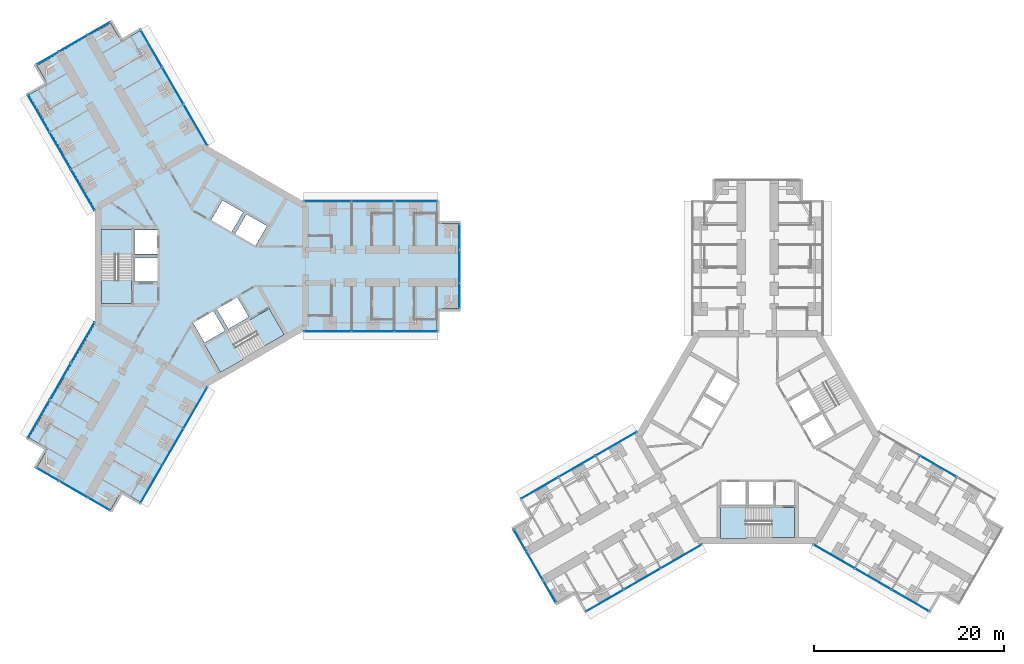
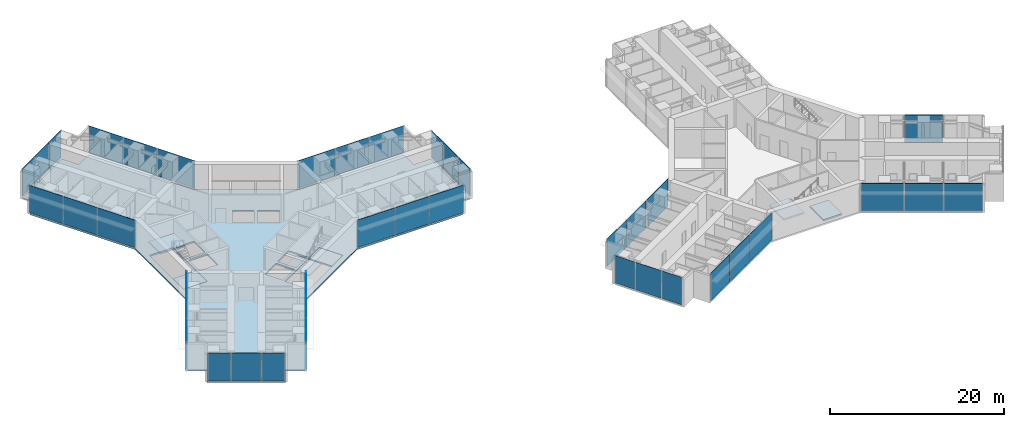
# One storey, part 14 of 25: 40 plates, 7 slabs, 17 elements without a shape of their own.
"""IFC4 building model written with IfcOpenShell, lengths in metres."""

import ifcopenshell
import ifcopenshell.guid

model = None  # the IFC model being written
_history = None  # IfcOwnerHistory: only IFC2X3 demands one
_inside = {}  # id of a spatial element -> (the spatial element, [elements in it])
_under = {}  # id of a project, library or spatial element -> (it, [spatial elements below it])
_declared = {}  # id of a project -> (the project, [libraries it declares])
_typed = {}  # id of a type object -> (the type object, [elements of that type])
_made_of = {}  # id of a material, layer set ... -> (it, [elements and type objects made of it])


def new_model(schema):
    """Start an empty IFC model of exactly this schema.

    Asked for "IFC4X3", IfcOpenShell would pick the latest addendum, in which some entities
    have other attributes; the version numbers below select the first issue.
    IFC2X3 requires an IfcOwnerHistory on every rooted entity: one is made here for all.
    """
    global model, _history
    if schema == "IFC4X3":
        model = ifcopenshell.file(schema_version=(4, 3, 0, 0))
    else:
        model = ifcopenshell.file(schema=schema)
    _inside.clear()
    _under.clear()
    _declared.clear()
    _typed.clear()
    _made_of.clear()
    _history = None
    if model.schema == "IFC2X3":
        org = make("IfcOrganization", Name="unknown")
        user = make(
            "IfcPersonAndOrganization",
            ThePerson=make("IfcPerson", FamilyName="unknown"),
            TheOrganization=org,
        )
        app = make(
            "IfcApplication",
            ApplicationDeveloper=org,
            Version="unknown",
            ApplicationFullName="unknown",
            ApplicationIdentifier="unknown",
        )
        _history = make(
            "IfcOwnerHistory",
            OwningUser=user,
            OwningApplication=app,
            ChangeAction="ADDED",
            CreationDate=0,
        )
    return model


def make(cls, **values):
    """One entity of the class cls with the attributes given. An attribute that is None is left unset."""
    return model.create_entity(
        cls, **{name: value for name, value in values.items() if value is not None}
    )


def rooted(cls, **values):
    """An entity with a GlobalId (a new one), such as an element, a storey or a relation."""
    return make(cls, GlobalId=ifcopenshell.guid.new(), OwnerHistory=_history, **values)


def si_unit(unit_type, name, prefix=None):
    """IfcSIUnit, for example si_unit("LENGTHUNIT", "METRE", prefix="MILLI")."""
    return make("IfcSIUnit", UnitType=unit_type, Prefix=prefix, Name=name)


def assignment(units):
    """IfcUnitAssignment: the units of a project."""
    return None if units is None else make("IfcUnitAssignment", Units=units)


def point(xyz):
    """IfcCartesianPoint."""
    return None if xyz is None else make("IfcCartesianPoint", Coordinates=xyz)


def direction(xyz):
    """IfcDirection."""
    return None if xyz is None else make("IfcDirection", DirectionRatios=xyz)


def frame(location, z_axis=None, x_axis=None):
    """IfcAxis2Placement3D, a coordinate frame: its origin and axes. An axis left out is left unset."""
    return make(
        "IfcAxis2Placement3D",
        Location=point(location),
        Axis=direction(z_axis),
        RefDirection=direction(x_axis),
    )


def frame_2d(location, x_axis=None):
    """IfcAxis2Placement2D, a coordinate frame in the plane: its origin and x axis."""
    return make(
        "IfcAxis2Placement2D", Location=point(location), RefDirection=direction(x_axis)
    )


def origin():
    """The frame at (0, 0, 0) with its axes left unset."""
    return frame((0.0, 0.0, 0.0))


def origin_2d():
    """The frame at (0, 0) in the plane with its x axis left unset."""
    return frame_2d((0.0, 0.0))


def place(relative_to, where):
    """IfcLocalPlacement: puts the frame where relative to a parent placement (None: the world)."""
    return make(
        "IfcLocalPlacement", PlacementRelTo=relative_to, RelativePlacement=where
    )


def context(
    kind, dimensions, precision=None, world=None, true_north=None, identifier=None
):
    """IfcGeometricRepresentationContext, for example the 3D "Model" context."""
    return make(
        "IfcGeometricRepresentationContext",
        ContextIdentifier=identifier,
        ContextType=kind,
        CoordinateSpaceDimension=dimensions,
        Precision=precision,
        WorldCoordinateSystem=world,
        TrueNorth=true_north,
    )


def subcontext(parent, identifier, kind, view, scale=None):
    """IfcGeometricRepresentationSubContext, for example "Body" below "Model"."""
    return make(
        "IfcGeometricRepresentationSubContext",
        ContextIdentifier=identifier,
        ContextType=kind,
        ParentContext=parent,
        TargetScale=scale,
        TargetView=view,
    )


def project(units=None, contexts=None):
    """IfcProject with its units and contexts."""
    return rooted(
        "IfcProject",
        Name="project",
        RepresentationContexts=contexts,
        UnitsInContext=assignment(units),
    )


def spatial(cls, under=None, at=None, **own):
    """A site, building, storey or space (cls), placed at a placement, below another one or the project."""
    s = rooted(cls, ObjectPlacement=at, **own)
    if under is not None:
        _under.setdefault(under.id(), (under, []))[1].append(s)
    return s


def polyline(points):
    """IfcPolyline through the points."""
    return make("IfcPolyline", Points=[point(p) for p in points])


def profile(cls, at=None, kind="AREA", **sizes):
    """A parametric profile (cls). Its sizes go by their IFC names, for example OverallWidth=200.0."""
    return make(cls, ProfileType=kind, Position=at, **sizes)


def rectangle(**sizes):
    """IfcRectangleProfileDef."""
    return profile("IfcRectangleProfileDef", **sizes)


def outline(outer, holes=None, kind="AREA"):
    """IfcArbitraryClosedProfileDef: a profile drawn as a closed curve; with holes, ...WithVoids."""
    if holes is None:
        return make("IfcArbitraryClosedProfileDef", ProfileType=kind, OuterCurve=outer)
    return make(
        "IfcArbitraryProfileDefWithVoids",
        ProfileType=kind,
        OuterCurve=outer,
        InnerCurves=holes,
    )


def extrude(swept, where, along, depth):
    """IfcExtrudedAreaSolid: the profile swept, set in the frame where, extruded along a direction by depth."""
    return make(
        "IfcExtrudedAreaSolid",
        SweptArea=swept,
        Position=where,
        ExtrudedDirection=direction(along),
        Depth=depth,
    )


def shape(context_of_items, identifier, shape_type, items):
    """IfcShapeRepresentation: the items that make up one representation, for example the "Body"."""
    return make(
        "IfcShapeRepresentation",
        ContextOfItems=context_of_items,
        RepresentationIdentifier=identifier,
        RepresentationType=shape_type,
        Items=items,
    )


def material(Name=None, Category=None):
    """IfcMaterial."""
    return make("IfcMaterial", Name=Name, Category=Category)


def layer(
    of_material, thickness, ventilated=None, Name=None, Category=None, Priority=None
):
    """IfcMaterialLayer: one layer of a wall or slab, of a material (None: an air gap)."""
    return make(
        "IfcMaterialLayer",
        Material=of_material,
        LayerThickness=thickness,
        IsVentilated=ventilated,
        Name=Name,
        Category=Category,
        Priority=Priority,
    )


def layer_set(layers, Name=None):
    """IfcMaterialLayerSet."""
    return make("IfcMaterialLayerSet", MaterialLayers=layers, LayerSetName=Name)


def made_of(thing, what):
    """Note that an element or type object is made of a material, layer set ...; save() writes the relation."""
    if what is not None:
        _made_of.setdefault(what.id(), (what, []))[1].append(thing)
    return thing


def type_object(cls, material=None, **own):
    """A type object (cls), such as IfcWallType, which elements share."""
    return made_of(rooted(cls, **own), material)


def element(
    cls,
    number,
    at=None,
    inside=None,
    cuts=None,
    type_object=None,
    material=None,
    context=None,
    identifier="Body",
    shape_type=None,
    held_by="IfcProductDefinitionShape",
    body=None,
    shapes=None,
    **own,
):
    """One element of the class cls, such as IfcWall. Its Tag is "e" and its number.

    at: its placement. inside: the storey or other place that contains it. cuts: it is an
    opening in that element (IfcRelVoidsElement). A single representation is given by context,
    identifier, shape_type and body (its items); several are given by shapes. held_by: the class
    of the entity that holds the representations. save() writes the other relations.
    """
    e = rooted(cls, Tag="e%d" % number, ObjectPlacement=at, **own)
    if body is not None:
        shapes = [shape(context, identifier, shape_type, body)]
    if shapes is not None:
        e.Representation = make(held_by, Representations=shapes)
    if inside is not None:
        _inside.setdefault(inside.id(), (inside, []))[1].append(e)
    if cuts is not None:
        rooted(
            "IfcRelVoidsElement", RelatingBuildingElement=cuts, RelatedOpeningElement=e
        )
    if type_object is not None:
        _typed.setdefault(type_object.id(), (type_object, []))[1].append(e)
    return made_of(e, material)


def aggregate(whole, parts):
    """IfcRelAggregates: a whole, such as a stair, and the parts it consists of."""
    return rooted("IfcRelAggregates", RelatingObject=whole, RelatedObjects=parts)


def save(model, path):
    """Write the relations noted so far, then the file.

    IfcRelAggregates (storeys below a building ...), IfcRelContainedInSpatialStructure (elements
    in a storey), IfcRelDefinesByType, IfcRelAssociatesMaterial and IfcRelDeclares: one each for
    every whole, place, type object, material and project.
    """
    for whole, parts in _under.values():
        aggregate(whole, parts)
    for where, things in _inside.values():
        rooted(
            "IfcRelContainedInSpatialStructure",
            RelatedElements=things,
            RelatingStructure=where,
        )
    for kind, things in _typed.values():
        rooted("IfcRelDefinesByType", RelatedObjects=things, RelatingType=kind)
    for what, things in _made_of.values():
        rooted("IfcRelAssociatesMaterial", RelatedObjects=things, RelatingMaterial=what)
    for by, libraries in _declared.values():
        rooted("IfcRelDeclares", RelatingContext=by, RelatedDefinitions=libraries)
    model.write(path)


model = new_model("IFC4")

# Units and contexts
model_context = context("Model", 3, precision=1e-05, world=origin(), true_north=direction((0.0, 1.0)))
body_context = subcontext(model_context, "Body", "Model", "MODEL_VIEW")
ifc_project = project(units=[si_unit("LENGTHUNIT", "METRE"), si_unit("AREAUNIT", "SQUARE_METRE"), si_unit("VOLUMEUNIT", "CUBIC_METRE"), si_unit("PLANEANGLEUNIT", "RADIAN"), si_unit("MASSUNIT", "GRAM", prefix="KILO")], contexts=[model_context])

# Site, building, storey
site_placement = place(None, origin())
site = spatial("IfcSite", under=ifc_project, at=site_placement, CompositionType="ELEMENT")
building_placement = place(site_placement, origin())
building = spatial("IfcBuilding", under=site, at=building_placement, Name="Upepo Twin Towers", CompositionType="ELEMENT")
storey_placement = place(building_placement, frame((0.0, 0.0, 84.5)))
storey = spatial("IfcBuildingStorey", under=building, at=storey_placement, Name="L20", CompositionType="ELEMENT", Elevation=84.5)

# Curtain wall, plates
ifc_material_1 = material(Name="Aluminium and fritted glass", Category="aluminium")
curtain_wall_type = type_object("IfcCurtainWallType", Name="Tower curtain wall TW1, fritted glass", PredefinedType="NOTDEFINED", material=ifc_material_1)
curtain_wall_1_placement = place(storey_placement, origin())
curtain_wall_1 = element("IfcCurtainWall", 1, at=curtain_wall_1_placement, inside=storey, type_object=curtain_wall_type, Name="T1 L20 wing A flank L curtain wall", PredefinedType="NOTDEFINED")
ifc_material_2 = material(Name="Ceramic-fritted laminated glass", Category="glass")
ifc_layer_1 = layer(ifc_material_2, 0.031982421875)
ifc_layer_set_1 = layer_set([ifc_layer_1], Name="Fritted glass panel, 30 per cent dot frit, 32 mm double glazed")
plate_type_1 = type_object("IfcPlateType", Name="Fritted glass panel, 30 per cent dot frit, 32 mm double glazed", PredefinedType="CURTAIN_PANEL", material=ifc_layer_set_1)
plate_1_placement = place(storey_placement, frame((13.23486328125, 6.85009765625, 0.14990234375), z_axis=(0.0, 0.0, 1.0), x_axis=(1.0, 0.0, 0.0)))
plate_1 = element("IfcPlate", 2, at=plate_1_placement, type_object=plate_type_1, Name="T1 L20 wing A flank L curtain wall panel 1", PredefinedType="CURTAIN_PANEL", context=body_context, shape_type="SweptSolid", body=[
    extrude(rectangle(XDim=4.96533203125, YDim=0.031982421875, at=origin_2d()), origin(), (0.0, 0.0, 1.0), 3.85009765625),
])
plate_2_placement = place(storey_placement, frame((18.0, 6.85009765625, 0.14990234375), z_axis=(0.0, 0.0, 1.0), x_axis=(1.0, 0.0, 0.0)))
plate_2 = element("IfcPlate", 3, at=plate_2_placement, type_object=plate_type_1, Name="T1 L20 wing A flank L curtain wall panel 2", PredefinedType="CURTAIN_PANEL", context=body_context, shape_type="SweptSolid", body=[
    extrude(rectangle(XDim=4.43505859375, YDim=0.031982421875, at=origin_2d()), origin(), (0.0, 0.0, 1.0), 3.85009765625),
])
plate_3_placement = place(storey_placement, frame((22.53369140625, 6.85009765625, 0.14990234375), z_axis=(0.0, 0.0, 1.0), x_axis=(1.0, 0.0, 0.0)))
plate_3 = element("IfcPlate", 4, at=plate_3_placement, type_object=plate_type_1, Name="T1 L20 wing A flank L curtain wall panel 3", PredefinedType="CURTAIN_PANEL", context=body_context, shape_type="SweptSolid", body=[
    extrude(rectangle(XDim=4.50244140625, YDim=0.031982421875, at=origin_2d()), origin(), (0.0, 0.0, 1.0), 3.85009765625),
])
aggregate(curtain_wall_1, [plate_1, plate_2, plate_3])

curtain_wall_2_placement = place(storey_placement, origin())
curtain_wall_2 = element("IfcCurtainWall", 5, at=curtain_wall_2_placement, inside=storey, type_object=curtain_wall_type, Name="T1 L20 wing A flank R curtain wall", PredefinedType="NOTDEFINED")
plate_4_placement = place(storey_placement, frame((22.53369140625, -6.85009765625, 0.14990234375), z_axis=(0.0, 0.0, 1.0), x_axis=(-1.0, 0.0, 0.0)))
plate_4 = element("IfcPlate", 6, at=plate_4_placement, type_object=plate_type_1, Name="T1 L20 wing A flank R curtain wall panel 1", PredefinedType="CURTAIN_PANEL", context=body_context, shape_type="SweptSolid", body=[
    extrude(rectangle(XDim=4.50244140625, YDim=0.031982421875, at=origin_2d()), origin(), (0.0, 0.0, 1.0), 3.85009765625),
])
plate_5_placement = place(storey_placement, frame((18.0, -6.85009765625, 0.14990234375), z_axis=(0.0, 0.0, 1.0), x_axis=(-1.0, 0.0, 0.0)))
plate_5 = element("IfcPlate", 7, at=plate_5_placement, type_object=plate_type_1, Name="T1 L20 wing A flank R curtain wall panel 2", PredefinedType="CURTAIN_PANEL", context=body_context, shape_type="SweptSolid", body=[
    extrude(rectangle(XDim=4.43505859375, YDim=0.031982421875, at=origin_2d()), origin(), (0.0, 0.0, 1.0), 3.85009765625),
])
plate_6_placement = place(storey_placement, frame((13.23486328125, -6.85009765625, 0.14990234375), z_axis=(0.0, 0.0, 1.0), x_axis=(-1.0, 0.0, 0.0)))
plate_6 = element("IfcPlate", 8, at=plate_6_placement, type_object=plate_type_1, Name="T1 L20 wing A flank R curtain wall panel 3", PredefinedType="CURTAIN_PANEL", context=body_context, shape_type="SweptSolid", body=[
    extrude(rectangle(XDim=4.96533203125, YDim=0.031982421875, at=origin_2d()), origin(), (0.0, 0.0, 1.0), 3.85009765625),
])
aggregate(curtain_wall_2, [plate_4, plate_5, plate_6])

# Curtain wall, plate
curtain_wall_3_placement = place(storey_placement, origin())
curtain_wall_3 = element("IfcCurtainWall", 9, at=curtain_wall_3_placement, inside=storey, type_object=curtain_wall_type, Name="T1 L20 wing A nose curtain wall", PredefinedType="NOTDEFINED")
plate_7_placement = place(storey_placement, frame((27.10009765625, 0.0, 0.14990234375), z_axis=(0.0, 0.0, 1.0), x_axis=(0.0, 1.0, 0.0)))
plate_7 = element("IfcPlate", 10, at=plate_7_placement, type_object=plate_type_1, Name="T1 L20 wing A nose curtain wall panel 2", PredefinedType="CURTAIN_PANEL", context=body_context, shape_type="SweptSolid", body=[
    extrude(rectangle(XDim=3.43505859375, YDim=0.031982421875, at=origin_2d()), origin(), (0.0, 0.0, 1.0), 3.85009765625),
])

# Curtain wall, plates
curtain_wall_4_placement = place(storey_placement, origin())
curtain_wall_4 = element("IfcCurtainWall", 11, at=curtain_wall_4_placement, inside=storey, type_object=curtain_wall_type, Name="T1 L20 wing B flank L curtain wall", PredefinedType="NOTDEFINED")
plate_8_placement = place(storey_placement, frame((-12.549560546875, 8.03662109375, 0.14990234375), z_axis=(0.0, 0.0, 1.0), x_axis=(-0.500000024426, 0.866025389682, 0.0)))
plate_8 = element("IfcPlate", 12, at=plate_8_placement, type_object=plate_type_1, Name="T1 L20 wing B flank L curtain wall panel 1", PredefinedType="CURTAIN_PANEL", context=body_context, shape_type="SweptSolid", body=[
    extrude(rectangle(XDim=4.96533203125, YDim=0.031982421875, at=origin_2d()), origin(), (0.0, 0.0, 1.0), 3.85009765625),
])
plate_9_placement = place(storey_placement, frame((-14.932373046875, 12.16357421875, 0.14990234375), z_axis=(0.0, 0.0, 1.0), x_axis=(-0.500000024426, 0.866025389682, 0.0)))
plate_9 = element("IfcPlate", 13, at=plate_9_placement, type_object=plate_type_1, Name="T1 L20 wing B flank L curtain wall panel 2", PredefinedType="CURTAIN_PANEL", context=body_context, shape_type="SweptSolid", body=[
    extrude(rectangle(XDim=4.43505859375, YDim=0.031982421875, at=origin_2d()), origin(), (0.0, 0.0, 1.0), 3.85009765625),
])
plate_10_placement = place(storey_placement, frame((-17.19921875, 16.08984375, 0.14990234375), z_axis=(0.0, 0.0, 1.0), x_axis=(-0.500000024426, 0.866025389682, 0.0)))
plate_10 = element("IfcPlate", 14, at=plate_10_placement, type_object=plate_type_1, Name="T1 L20 wing B flank L curtain wall panel 3", PredefinedType="CURTAIN_PANEL", context=body_context, shape_type="SweptSolid", body=[
    extrude(rectangle(XDim=4.50244140625, YDim=0.031982421875, at=origin_2d()), origin(), (0.0, 0.0, 1.0), 3.85009765625),
])
aggregate(curtain_wall_4, [plate_8, plate_9, plate_10])

curtain_wall_5_placement = place(storey_placement, origin())
curtain_wall_5 = element("IfcCurtainWall", 15, at=curtain_wall_5_placement, inside=storey, type_object=curtain_wall_type, Name="T1 L20 wing B flank R curtain wall", PredefinedType="NOTDEFINED")
plate_11_placement = place(storey_placement, frame((-5.334716796875, 22.939697265625, 0.14990234375), z_axis=(0.0, 0.0, 1.0), x_axis=(0.500000024426, -0.866025389682, 0.0)))
plate_11 = element("IfcPlate", 16, at=plate_11_placement, type_object=plate_type_1, Name="T1 L20 wing B flank R curtain wall panel 1", PredefinedType="CURTAIN_PANEL", context=body_context, shape_type="SweptSolid", body=[
    extrude(rectangle(XDim=4.50244140625, YDim=0.031982421875, at=origin_2d()), origin(), (0.0, 0.0, 1.0), 3.85009765625),
])
plate_12_placement = place(storey_placement, frame((-3.067626953125, 19.013427734375, 0.14990234375), z_axis=(0.0, 0.0, 1.0), x_axis=(0.500000024426, -0.866025389682, 0.0)))
plate_12 = element("IfcPlate", 17, at=plate_12_placement, type_object=plate_type_1, Name="T1 L20 wing B flank R curtain wall panel 2", PredefinedType="CURTAIN_PANEL", context=body_context, shape_type="SweptSolid", body=[
    extrude(rectangle(XDim=4.43505859375, YDim=0.031982421875, at=origin_2d()), origin(), (0.0, 0.0, 1.0), 3.85009765625),
])
plate_13_placement = place(storey_placement, frame((-0.68505859375, 14.88671875, 0.14990234375), z_axis=(0.0, 0.0, 1.0), x_axis=(0.500000024426, -0.866025389682, 0.0)))
plate_13 = element("IfcPlate", 18, at=plate_13_placement, type_object=plate_type_1, Name="T1 L20 wing B flank R curtain wall panel 3", PredefinedType="CURTAIN_PANEL", context=body_context, shape_type="SweptSolid", body=[
    extrude(rectangle(XDim=4.96533203125, YDim=0.031982421875, at=origin_2d()), origin(), (0.0, 0.0, 1.0), 3.85009765625),
])
aggregate(curtain_wall_5, [plate_11, plate_12, plate_13])

# Curtain wall, plate
curtain_wall_6_placement = place(storey_placement, origin())
curtain_wall_6 = element("IfcCurtainWall", 19, at=curtain_wall_6_placement, inside=storey, type_object=curtain_wall_type, Name="T1 L20 wing B nose curtain wall", PredefinedType="NOTDEFINED")
plate_14_placement = place(storey_placement, frame((-13.550048828125, 23.46923828125, 0.14990234375), z_axis=(0.0, 0.0, 1.0), x_axis=(-0.866025386174, -0.500000030502, 0.0)))
plate_14 = element("IfcPlate", 20, at=plate_14_placement, type_object=plate_type_1, Name="T1 L20 wing B nose curtain wall panel 2", PredefinedType="CURTAIN_PANEL", context=body_context, shape_type="SweptSolid", body=[
    extrude(rectangle(XDim=3.43505859375, YDim=0.031982421875, at=origin_2d()), origin(), (0.0, 0.0, 1.0), 3.85009765625),
])

# Curtain wall, plates
curtain_wall_7_placement = place(storey_placement, origin())
curtain_wall_7 = element("IfcCurtainWall", 21, at=curtain_wall_7_placement, inside=storey, type_object=curtain_wall_type, Name="T1 L20 wing C flank L curtain wall", PredefinedType="NOTDEFINED")
plate_15_placement = place(storey_placement, frame((-0.68505859375, -14.88671875, 0.14990234375), z_axis=(0.0, 0.0, 1.0), x_axis=(-0.500000024426, -0.866025389682, 0.0)))
plate_15 = element("IfcPlate", 22, at=plate_15_placement, type_object=plate_type_1, Name="T1 L20 wing C flank L curtain wall panel 1", PredefinedType="CURTAIN_PANEL", context=body_context, shape_type="SweptSolid", body=[
    extrude(rectangle(XDim=4.96533203125, YDim=0.031982421875, at=origin_2d()), origin(), (0.0, 0.0, 1.0), 3.85009765625),
])
plate_16_placement = place(storey_placement, frame((-3.067626953125, -19.013427734375, 0.14990234375), z_axis=(0.0, 0.0, 1.0), x_axis=(-0.500000024426, -0.866025389682, 0.0)))
plate_16 = element("IfcPlate", 23, at=plate_16_placement, type_object=plate_type_1, Name="T1 L20 wing C flank L curtain wall panel 2", PredefinedType="CURTAIN_PANEL", context=body_context, shape_type="SweptSolid", body=[
    extrude(rectangle(XDim=4.43505859375, YDim=0.031982421875, at=origin_2d()), origin(), (0.0, 0.0, 1.0), 3.85009765625),
])
plate_17_placement = place(storey_placement, frame((-5.334716796875, -22.939697265625, 0.14990234375), z_axis=(0.0, 0.0, 1.0), x_axis=(-0.500000024426, -0.866025389682, 0.0)))
plate_17 = element("IfcPlate", 24, at=plate_17_placement, type_object=plate_type_1, Name="T1 L20 wing C flank L curtain wall panel 3", PredefinedType="CURTAIN_PANEL", context=body_context, shape_type="SweptSolid", body=[
    extrude(rectangle(XDim=4.50244140625, YDim=0.031982421875, at=origin_2d()), origin(), (0.0, 0.0, 1.0), 3.85009765625),
])
aggregate(curtain_wall_7, [plate_15, plate_16, plate_17])

curtain_wall_8_placement = place(storey_placement, origin())
curtain_wall_8 = element("IfcCurtainWall", 25, at=curtain_wall_8_placement, inside=storey, type_object=curtain_wall_type, Name="T1 L20 wing C flank R curtain wall", PredefinedType="NOTDEFINED")
plate_18_placement = place(storey_placement, frame((-17.19921875, -16.08984375, 0.14990234375), z_axis=(0.0, 0.0, 1.0), x_axis=(0.500000024426, 0.866025389682, 0.0)))
plate_18 = element("IfcPlate", 26, at=plate_18_placement, type_object=plate_type_1, Name="T1 L20 wing C flank R curtain wall panel 1", PredefinedType="CURTAIN_PANEL", context=body_context, shape_type="SweptSolid", body=[
    extrude(rectangle(XDim=4.50244140625, YDim=0.031982421875, at=origin_2d()), origin(), (0.0, 0.0, 1.0), 3.85009765625),
])
plate_19_placement = place(storey_placement, frame((-14.932373046875, -12.16357421875, 0.14990234375), z_axis=(0.0, 0.0, 1.0), x_axis=(0.500000024426, 0.866025389682, 0.0)))
plate_19 = element("IfcPlate", 27, at=plate_19_placement, type_object=plate_type_1, Name="T1 L20 wing C flank R curtain wall panel 2", PredefinedType="CURTAIN_PANEL", context=body_context, shape_type="SweptSolid", body=[
    extrude(rectangle(XDim=4.43505859375, YDim=0.031982421875, at=origin_2d()), origin(), (0.0, 0.0, 1.0), 3.85009765625),
])
plate_20_placement = place(storey_placement, frame((-12.549560546875, -8.03662109375, 0.14990234375), z_axis=(0.0, 0.0, 1.0), x_axis=(0.500000024426, 0.866025389682, 0.0)))
plate_20 = element("IfcPlate", 28, at=plate_20_placement, type_object=plate_type_1, Name="T1 L20 wing C flank R curtain wall panel 3", PredefinedType="CURTAIN_PANEL", context=body_context, shape_type="SweptSolid", body=[
    extrude(rectangle(XDim=4.96533203125, YDim=0.031982421875, at=origin_2d()), origin(), (0.0, 0.0, 1.0), 3.85009765625),
])
aggregate(curtain_wall_8, [plate_18, plate_19, plate_20])

# Curtain wall, plate
curtain_wall_9_placement = place(storey_placement, origin())
curtain_wall_9 = element("IfcCurtainWall", 29, at=curtain_wall_9_placement, inside=storey, type_object=curtain_wall_type, Name="T1 L20 wing C nose curtain wall", PredefinedType="NOTDEFINED")
plate_21_placement = place(storey_placement, frame((-13.550048828125, -23.46923828125, 0.14990234375), z_axis=(0.0, 0.0, 1.0), x_axis=(0.866025386174, -0.500000030502, 0.0)))
plate_21 = element("IfcPlate", 30, at=plate_21_placement, type_object=plate_type_1, Name="T1 L20 wing C nose curtain wall panel 2", PredefinedType="CURTAIN_PANEL", context=body_context, shape_type="SweptSolid", body=[
    extrude(rectangle(XDim=3.43505859375, YDim=0.031982421875, at=origin_2d()), origin(), (0.0, 0.0, 1.0), 3.85009765625),
])

# Curtain wall, plates
curtain_wall_10_placement = place(storey_placement, origin())
curtain_wall_10 = element("IfcCurtainWall", 31, at=curtain_wall_10_placement, inside=storey, type_object=curtain_wall_type, Name="T2 L20 wing B flank L curtain wall", PredefinedType="NOTDEFINED")
plate_22_placement = place(storey_placement, frame((50.46337890625, -30.549560546875, 0.14990234375), z_axis=(0.0, 0.0, 1.0), x_axis=(-0.866025389682, -0.500000024426, 0.0)))
plate_22 = element("IfcPlate", 32, at=plate_22_placement, type_object=plate_type_1, Name="T2 L20 wing B flank L curtain wall panel 1", PredefinedType="CURTAIN_PANEL", context=body_context, shape_type="SweptSolid", body=[
    extrude(rectangle(XDim=4.96533203125, YDim=0.031982421875, at=origin_2d()), origin(), (0.0, 0.0, 1.0), 3.85009765625),
])
plate_23_placement = place(storey_placement, frame((46.33642578125, -32.932373046875, 0.14990234375), z_axis=(0.0, 0.0, 1.0), x_axis=(-0.866025389682, -0.500000024426, 0.0)))
plate_23 = element("IfcPlate", 33, at=plate_23_placement, type_object=plate_type_1, Name="T2 L20 wing B flank L curtain wall panel 2", PredefinedType="CURTAIN_PANEL", context=body_context, shape_type="SweptSolid", body=[
    extrude(rectangle(XDim=4.43505859375, YDim=0.031982421875, at=origin_2d()), origin(), (0.0, 0.0, 1.0), 3.85009765625),
])
plate_24_placement = place(storey_placement, frame((42.41015625, -35.19921875, 0.14990234375), z_axis=(0.0, 0.0, 1.0), x_axis=(-0.866025389682, -0.500000024426, 0.0)))
plate_24 = element("IfcPlate", 34, at=plate_24_placement, type_object=plate_type_1, Name="T2 L20 wing B flank L curtain wall panel 3", PredefinedType="CURTAIN_PANEL", context=body_context, shape_type="SweptSolid", body=[
    extrude(rectangle(XDim=4.50244140625, YDim=0.031982421875, at=origin_2d()), origin(), (0.0, 0.0, 1.0), 3.85009765625),
])
aggregate(curtain_wall_10, [plate_22, plate_23, plate_24])

curtain_wall_11_placement = place(storey_placement, origin())
curtain_wall_11 = element("IfcCurtainWall", 35, at=curtain_wall_11_placement, inside=storey, type_object=curtain_wall_type, Name="T2 L20 wing B flank R curtain wall", PredefinedType="NOTDEFINED")
plate_25_placement = place(storey_placement, frame((35.560302734375, -23.334716796875, 0.14990234375), z_axis=(0.0, 0.0, 1.0), x_axis=(0.866025389682, 0.500000024426, 0.0)))
plate_25 = element("IfcPlate", 36, at=plate_25_placement, type_object=plate_type_1, Name="T2 L20 wing B flank R curtain wall panel 1", PredefinedType="CURTAIN_PANEL", context=body_context, shape_type="SweptSolid", body=[
    extrude(rectangle(XDim=4.50244140625, YDim=0.031982421875, at=origin_2d()), origin(), (0.0, 0.0, 1.0), 3.85009765625),
])
plate_26_placement = place(storey_placement, frame((39.486572265625, -21.067626953125, 0.14990234375), z_axis=(0.0, 0.0, 1.0), x_axis=(0.866025389682, 0.500000024426, 0.0)))
plate_26 = element("IfcPlate", 37, at=plate_26_placement, type_object=plate_type_1, Name="T2 L20 wing B flank R curtain wall panel 2", PredefinedType="CURTAIN_PANEL", context=body_context, shape_type="SweptSolid", body=[
    extrude(rectangle(XDim=4.43505859375, YDim=0.031982421875, at=origin_2d()), origin(), (0.0, 0.0, 1.0), 3.85009765625),
])
plate_27_placement = place(storey_placement, frame((43.61328125, -18.68505859375, 0.14990234375), z_axis=(0.0, 0.0, 1.0), x_axis=(0.866025389682, 0.500000024426, 0.0)))
plate_27 = element("IfcPlate", 38, at=plate_27_placement, type_object=plate_type_1, Name="T2 L20 wing B flank R curtain wall panel 3", PredefinedType="CURTAIN_PANEL", context=body_context, shape_type="SweptSolid", body=[
    extrude(rectangle(XDim=4.96533203125, YDim=0.031982421875, at=origin_2d()), origin(), (0.0, 0.0, 1.0), 3.85009765625),
])
aggregate(curtain_wall_11, [plate_25, plate_26, plate_27])

# Curtain wall, plate
curtain_wall_12_placement = place(storey_placement, origin())
curtain_wall_12 = element("IfcCurtainWall", 39, at=curtain_wall_12_placement, inside=storey, type_object=curtain_wall_type, Name="T2 L20 wing B nose curtain wall", PredefinedType="NOTDEFINED")
plate_28_placement = place(storey_placement, frame((35.03076171875, -31.550048828125, 0.14990234375), z_axis=(0.0, 0.0, 1.0), x_axis=(0.500000030502, -0.866025386174, 0.0)))
plate_28 = element("IfcPlate", 40, at=plate_28_placement, type_object=plate_type_1, Name="T2 L20 wing B nose curtain wall panel 2", PredefinedType="CURTAIN_PANEL", context=body_context, shape_type="SweptSolid", body=[
    extrude(rectangle(XDim=3.43505859375, YDim=0.031982421875, at=origin_2d()), origin(), (0.0, 0.0, 1.0), 3.85009765625),
])

curtain_wall_13_placement = place(storey_placement, origin())
curtain_wall_13 = element("IfcCurtainWall", 41, at=curtain_wall_13_placement, inside=storey, type_object=curtain_wall_type, Name="T2 L20 wing C flank L curtain wall", PredefinedType="NOTDEFINED")
plate_29_placement = place(storey_placement, frame((77.513427734375, -21.067626953125, 0.14990234375), z_axis=(0.0, 0.0, 1.0), x_axis=(0.866025389682, -0.500000024426, 0.0)))
plate_29 = element("IfcPlate", 42, at=plate_29_placement, type_object=plate_type_1, Name="T2 L20 wing C flank L curtain wall panel 2", PredefinedType="CURTAIN_PANEL", context=body_context, shape_type="SweptSolid", body=[
    extrude(rectangle(XDim=4.43505859375, YDim=0.031982421875, at=origin_2d()), origin(), (0.0, 0.0, 1.0), 3.85009765625),
])
aggregate(curtain_wall_13, [plate_29])

# Curtain wall, plates
curtain_wall_14_placement = place(storey_placement, origin())
curtain_wall_14 = element("IfcCurtainWall", 43, at=curtain_wall_14_placement, inside=storey, type_object=curtain_wall_type, Name="T2 L20 wing C flank R curtain wall", PredefinedType="NOTDEFINED")
plate_30_placement = place(storey_placement, frame((74.58984375, -35.19921875, 0.14990234375), z_axis=(0.0, 0.0, 1.0), x_axis=(-0.866025389682, 0.500000024426, 0.0)))
plate_30 = element("IfcPlate", 44, at=plate_30_placement, type_object=plate_type_1, Name="T2 L20 wing C flank R curtain wall panel 1", PredefinedType="CURTAIN_PANEL", context=body_context, shape_type="SweptSolid", body=[
    extrude(rectangle(XDim=4.50244140625, YDim=0.031982421875, at=origin_2d()), origin(), (0.0, 0.0, 1.0), 3.85009765625),
])
plate_31_placement = place(storey_placement, frame((70.66357421875, -32.932373046875, 0.14990234375), z_axis=(0.0, 0.0, 1.0), x_axis=(-0.866025389682, 0.500000024426, 0.0)))
plate_31 = element("IfcPlate", 45, at=plate_31_placement, type_object=plate_type_1, Name="T2 L20 wing C flank R curtain wall panel 2", PredefinedType="CURTAIN_PANEL", context=body_context, shape_type="SweptSolid", body=[
    extrude(rectangle(XDim=4.43505859375, YDim=0.031982421875, at=origin_2d()), origin(), (0.0, 0.0, 1.0), 3.85009765625),
])
plate_32_placement = place(storey_placement, frame((66.53662109375, -30.549560546875, 0.14990234375), z_axis=(0.0, 0.0, 1.0), x_axis=(-0.866025389682, 0.500000024426, 0.0)))
plate_32 = element("IfcPlate", 46, at=plate_32_placement, type_object=plate_type_1, Name="T2 L20 wing C flank R curtain wall panel 3", PredefinedType="CURTAIN_PANEL", context=body_context, shape_type="SweptSolid", body=[
    extrude(rectangle(XDim=4.96533203125, YDim=0.031982421875, at=origin_2d()), origin(), (0.0, 0.0, 1.0), 3.85009765625),
])
aggregate(curtain_wall_14, [plate_30, plate_31, plate_32])

# Plate
ifc_material_3 = material(Name="Clear laminated glass in opening sash", Category="glass")
ifc_layer_2 = layer(ifc_material_3, 0.031982421875)
ifc_layer_set_2 = layer_set([ifc_layer_2], Name="Operable glass panel, 32 mm double glazed")
plate_type_2 = type_object("IfcPlateType", Name="Operable glass panel, 32 mm double glazed", PredefinedType="CURTAIN_PANEL", material=ifc_layer_set_2)
plate_33_placement = place(storey_placement, frame((27.10009765625, -3.108642578125, 0.14990234375), z_axis=(0.0, 0.0, 1.0), x_axis=(0.0, 1.0, 0.0)))
plate_33 = element("IfcPlate", 47, at=plate_33_placement, type_object=plate_type_2, Name="T1 L20 wing A nose curtain wall panel 1", PredefinedType="CURTAIN_PANEL", context=body_context, shape_type="SweptSolid", body=[
    extrude(rectangle(XDim=2.652587890625, YDim=0.031982421875, at=origin_2d()), origin(), (0.0, 0.0, 1.0), 3.85009765625),
])

plate_34_placement = place(storey_placement, frame((27.10009765625, 3.108642578125, 0.14990234375), z_axis=(0.0, 0.0, 1.0), x_axis=(0.0, 1.0, 0.0)))
plate_34 = element("IfcPlate", 48, at=plate_34_placement, type_object=plate_type_2, Name="T1 L20 wing A nose curtain wall panel 3", PredefinedType="CURTAIN_PANEL", context=body_context, shape_type="SweptSolid", body=[
    extrude(rectangle(XDim=2.652587890625, YDim=0.031982421875, at=origin_2d()), origin(), (0.0, 0.0, 1.0), 3.85009765625),
])

aggregate(curtain_wall_3, [plate_33, plate_7, plate_34])

plate_35_placement = place(storey_placement, frame((-10.857666015625, 25.023681640625, 0.14990234375), z_axis=(0.0, 0.0, 1.0), x_axis=(-0.866025386174, -0.500000030502, 0.0)))
plate_35 = element("IfcPlate", 49, at=plate_35_placement, type_object=plate_type_2, Name="T1 L20 wing B nose curtain wall panel 1", PredefinedType="CURTAIN_PANEL", context=body_context, shape_type="SweptSolid", body=[
    extrude(rectangle(XDim=2.652587890625, YDim=0.031982421875, at=origin_2d()), origin(), (0.0, 0.0, 1.0), 3.85009765625),
])

plate_36_placement = place(storey_placement, frame((-16.2421875, 21.914794921875, 0.14990234375), z_axis=(0.0, 0.0, 1.0), x_axis=(-0.866025386174, -0.500000030502, 0.0)))
plate_36 = element("IfcPlate", 50, at=plate_36_placement, type_object=plate_type_2, Name="T1 L20 wing B nose curtain wall panel 3", PredefinedType="CURTAIN_PANEL", context=body_context, shape_type="SweptSolid", body=[
    extrude(rectangle(XDim=2.652587890625, YDim=0.031982421875, at=origin_2d()), origin(), (0.0, 0.0, 1.0), 3.85009765625),
])

aggregate(curtain_wall_6, [plate_35, plate_14, plate_36])

plate_37_placement = place(storey_placement, frame((-16.2421875, -21.914794921875, 0.14990234375), z_axis=(0.0, 0.0, 1.0), x_axis=(0.866025386174, -0.500000030502, 0.0)))
plate_37 = element("IfcPlate", 51, at=plate_37_placement, type_object=plate_type_2, Name="T1 L20 wing C nose curtain wall panel 1", PredefinedType="CURTAIN_PANEL", context=body_context, shape_type="SweptSolid", body=[
    extrude(rectangle(XDim=2.652587890625, YDim=0.031982421875, at=origin_2d()), origin(), (0.0, 0.0, 1.0), 3.85009765625),
])

plate_38_placement = place(storey_placement, frame((-10.857666015625, -25.023681640625, 0.14990234375), z_axis=(0.0, 0.0, 1.0), x_axis=(0.866025386174, -0.500000030502, 0.0)))
plate_38 = element("IfcPlate", 52, at=plate_38_placement, type_object=plate_type_2, Name="T1 L20 wing C nose curtain wall panel 3", PredefinedType="CURTAIN_PANEL", context=body_context, shape_type="SweptSolid", body=[
    extrude(rectangle(XDim=2.652587890625, YDim=0.031982421875, at=origin_2d()), origin(), (0.0, 0.0, 1.0), 3.85009765625),
])

aggregate(curtain_wall_9, [plate_37, plate_21, plate_38])

plate_39_placement = place(storey_placement, frame((33.476318359375, -28.857666015625, 0.14990234375), z_axis=(0.0, 0.0, 1.0), x_axis=(0.500000030502, -0.866025386174, 0.0)))
plate_39 = element("IfcPlate", 53, at=plate_39_placement, type_object=plate_type_2, Name="T2 L20 wing B nose curtain wall panel 1", PredefinedType="CURTAIN_PANEL", context=body_context, shape_type="SweptSolid", body=[
    extrude(rectangle(XDim=2.652587890625, YDim=0.031982421875, at=origin_2d()), origin(), (0.0, 0.0, 1.0), 3.85009765625),
])

plate_40_placement = place(storey_placement, frame((36.585205078125, -34.2421875, 0.14990234375), z_axis=(0.0, 0.0, 1.0), x_axis=(0.500000030502, -0.866025386174, 0.0)))
plate_40 = element("IfcPlate", 54, at=plate_40_placement, type_object=plate_type_2, Name="T2 L20 wing B nose curtain wall panel 3", PredefinedType="CURTAIN_PANEL", context=body_context, shape_type="SweptSolid", body=[
    extrude(rectangle(XDim=2.652587890625, YDim=0.031982421875, at=origin_2d()), origin(), (0.0, 0.0, 1.0), 3.85009765625),
])

aggregate(curtain_wall_12, [plate_39, plate_28, plate_40])

# Stair, slabs
ifc_material_4 = material(Name="Concrete C40/50", Category="concrete")
stair_type = type_object("IfcStairType", Name="Core stair, two flights", PredefinedType="HALF_TURN_STAIR", material=ifc_material_4)
stair_1_placement = place(storey_placement, origin())
stair_1 = element("IfcStair", 55, at=stair_1_placement, inside=storey, type_object=stair_type, Name="T1 stair S1 L20", PredefinedType="HALF_TURN_STAIR")
ifc_material_5 = material(Name="Concrete C40/50", Category="concrete")
ifc_layer_3 = layer(ifc_material_5, 0.199951171875)
ifc_layer_set_3 = layer_set([ifc_layer_3], Name="Concrete C40/50")
slab_type_1 = type_object("IfcSlabType", Name="Stair landing 200 RC", PredefinedType="LANDING", material=ifc_layer_set_3)
slab_1_placement = place(storey_placement, frame((0.0, 0.0, -0.199951171875)))
slab_1 = element("IfcSlab", 56, at=slab_1_placement, type_object=slab_type_1, Name="Stair S1 landing 1", PredefinedType="LANDING", context=body_context, shape_type="SweptSolid", body=[
    extrude(outline(polyline([(-7.39990234375, -1.419921875), (-10.558349609375, -1.419921875), (-10.558349609375, -3.89990234375), (-7.39990234375, -3.89990234375), (-7.39990234375, -1.419921875)])), origin(), (0.0, 0.0, 1.0), 0.199951171875),
])
slab_2_placement = place(storey_placement, frame((0.0, 0.0, 1.800048828125)))
slab_2 = element("IfcSlab", 57, at=slab_2_placement, type_object=slab_type_1, Name="Stair S1 landing 2", PredefinedType="LANDING", context=body_context, shape_type="SweptSolid", body=[
    extrude(outline(polyline([(-7.300048828125, 3.89990234375), (-10.658447265625, 3.89990234375), (-10.658447265625, 1.179931640625), (-7.300048828125, 1.179931640625), (-7.300048828125, 3.89990234375)])), origin(), (0.0, 0.0, 1.0), 0.199951171875),
])
aggregate(stair_1, [slab_1, slab_2])

stair_2_placement = place(storey_placement, origin())
stair_2 = element("IfcStair", 58, at=stair_2_placement, inside=storey, type_object=stair_type, Name="T1 stair S2 L20", PredefinedType="HALF_TURN_STAIR")
slab_3_placement = place(storey_placement, frame((0.0, 0.0, -0.199951171875)))
slab_3 = element("IfcSlab", 59, at=slab_3_placement, type_object=slab_type_1, Name="Stair S2 landing 1", PredefinedType="LANDING", context=body_context, shape_type="SweptSolid", body=[
    extrude(outline(polyline([(4.9296875, -5.698486328125), (6.509033203125, -8.433837890625), (8.65673828125, -7.19384765625), (7.077392578125, -4.45849609375), (4.9296875, -5.698486328125)])), origin(), (0.0, 0.0, 1.0), 0.199951171875),
])
slab_4_placement = place(storey_placement, frame((0.0, 0.0, 1.800048828125)))
slab_4 = element("IfcSlab", 60, at=slab_4_placement, type_object=slab_type_1, Name="Stair S2 landing 2", PredefinedType="LANDING", context=body_context, shape_type="SweptSolid", body=[
    extrude(outline(polyline([(0.2724609375, -8.27197265625), (1.95166015625, -11.180419921875), (4.307373046875, -9.8203125), (2.628173828125, -6.911865234375), (0.2724609375, -8.27197265625)])), origin(), (0.0, 0.0, 1.0), 0.199951171875),
])
aggregate(stair_2, [slab_3, slab_4])

stair_3_placement = place(storey_placement, origin())
stair_3 = element("IfcStair", 61, at=stair_3_placement, inside=storey, type_object=stair_type, Name="T2 stair S1 L20", PredefinedType="HALF_TURN_STAIR")
slab_5_placement = place(storey_placement, frame((0.0, 0.0, -0.199951171875)))
slab_5 = element("IfcSlab", 62, at=slab_5_placement, type_object=slab_type_1, Name="Stair S1 landing 1", PredefinedType="LANDING", context=body_context, shape_type="SweptSolid", body=[
    extrude(outline(polyline([(59.919921875, -25.39990234375), (59.919921875, -28.558349609375), (62.39990234375, -28.558349609375), (62.39990234375, -25.39990234375), (59.919921875, -25.39990234375)])), origin(), (0.0, 0.0, 1.0), 0.199951171875),
])
slab_6_placement = place(storey_placement, frame((0.0, 0.0, 1.800048828125)))
slab_6 = element("IfcSlab", 63, at=slab_6_placement, type_object=slab_type_1, Name="Stair S1 landing 2", PredefinedType="LANDING", context=body_context, shape_type="SweptSolid", body=[
    extrude(outline(polyline([(54.60009765625, -25.300048828125), (54.60009765625, -28.658447265625), (57.320068359375, -28.658447265625), (57.320068359375, -25.300048828125), (54.60009765625, -25.300048828125)])), origin(), (0.0, 0.0, 1.0), 0.199951171875),
])
aggregate(stair_3, [slab_5, slab_6])

# Slab
ifc_material_6 = material(Name="Concrete C40/50", Category="concrete")
ifc_layer_4 = layer(ifc_material_6, 0.199951171875)
ifc_layer_set_4 = layer_set([ifc_layer_4], Name="Concrete C40/50")
slab_type_2 = type_object("IfcSlabType", Name="Tower floor slab 200 RC", PredefinedType="FLOOR", material=ifc_layer_set_4)
slab_7_placement = place(storey_placement, frame((0.0, 0.0, -0.199951171875)))
element("IfcSlab", 64, at=slab_7_placement, inside=storey, type_object=slab_type_2, Name="T1 L20 floor slab", PredefinedType="FLOOR", context=body_context, shape_type="SweptSolid", body=[
    extrude(outline(polyline([(-8.477783203125, -23.68408203125), (-9.602783203125, -25.632568359375), (-17.397216796875, -21.132568359375), (-16.272216796875, -19.18408203125), (-18.220703125, -18.05908203125), (-11.25830078125, -6.0), (-11.25830078125, 6.0), (-18.220703125, 18.05908203125), (-16.272216796875, 19.18408203125), (-17.397216796875, 21.132568359375), (-9.602783203125, 25.632568359375), (-8.477783203125, 23.68408203125), (-6.529296875, 24.80908203125), (0.43310546875, 12.75), (10.825439453125, 6.75), (24.75, 6.75), (24.75, 4.5), (27.0, 4.5), (27.0, -4.5), (24.75, -4.5), (24.75, -6.75), (10.825439453125, -6.75), (0.43310546875, -12.75), (-6.529296875, -24.80908203125), (-8.477783203125, -23.68408203125)]), holes=[polyline([(5.640869140625, 2.17041015625), (6.8408203125, 4.248779296875), (4.67578125, 5.498779296875), (3.475830078125, 3.42041015625), (5.640869140625, 2.17041015625)]), polyline([(3.12939453125, 3.620361328125), (4.329345703125, 5.69873046875), (2.164306640625, 6.94873046875), (0.96435546875, 4.870361328125), (3.12939453125, 3.620361328125)]), polyline([(-4.699951171875, 3.800048828125), (-7.10009765625, 3.800048828125), (-7.10009765625, 1.300048828125), (-4.699951171875, 1.300048828125), (-4.699951171875, 3.800048828125)]), polyline([(-4.699951171875, 0.89990234375), (-7.10009765625, 0.89990234375), (-7.10009765625, -1.60009765625), (-4.699951171875, -1.60009765625), (-4.699951171875, 0.89990234375)]), polyline([(-7.39990234375, 3.89990234375), (-10.558349609375, 3.89990234375), (-10.558349609375, -3.89990234375), (-7.39990234375, -3.89990234375), (-7.39990234375, 3.89990234375)]), polyline([(-0.94091796875, -5.97021484375), (0.259033203125, -8.048828125), (2.424072265625, -6.798828125), (1.22412109375, -4.72021484375), (-0.94091796875, -5.97021484375)]), polyline([(1.570556640625, -4.520263671875), (2.7705078125, -6.598876953125), (4.935546875, -5.348876953125), (3.735595703125, -3.270263671875), (1.570556640625, -4.520263671875)]), polyline([(0.322509765625, -8.358642578125), (1.901611328125, -11.09375), (8.65673828125, -7.19384765625), (7.077392578125, -4.45849609375), (0.322509765625, -8.358642578125)])]), origin(), (0.0, 0.0, 1.0), 0.199951171875),
])

save(model, "model.ifc")
